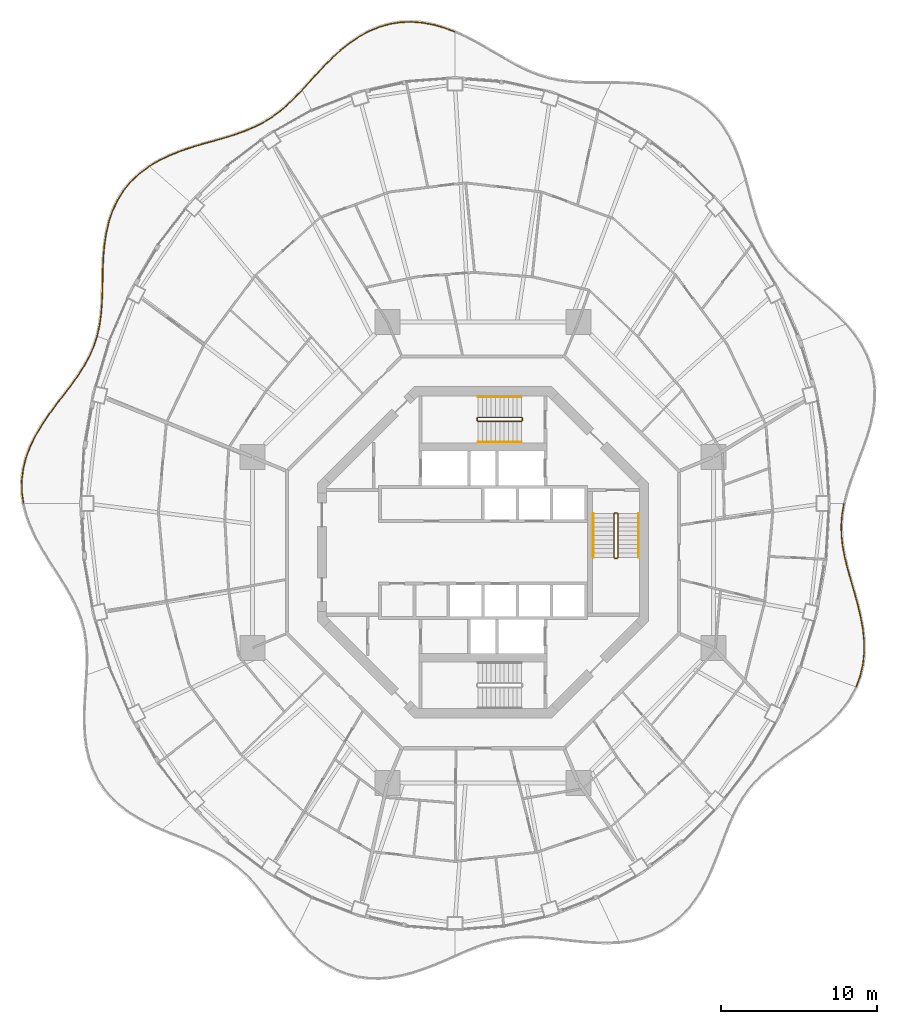
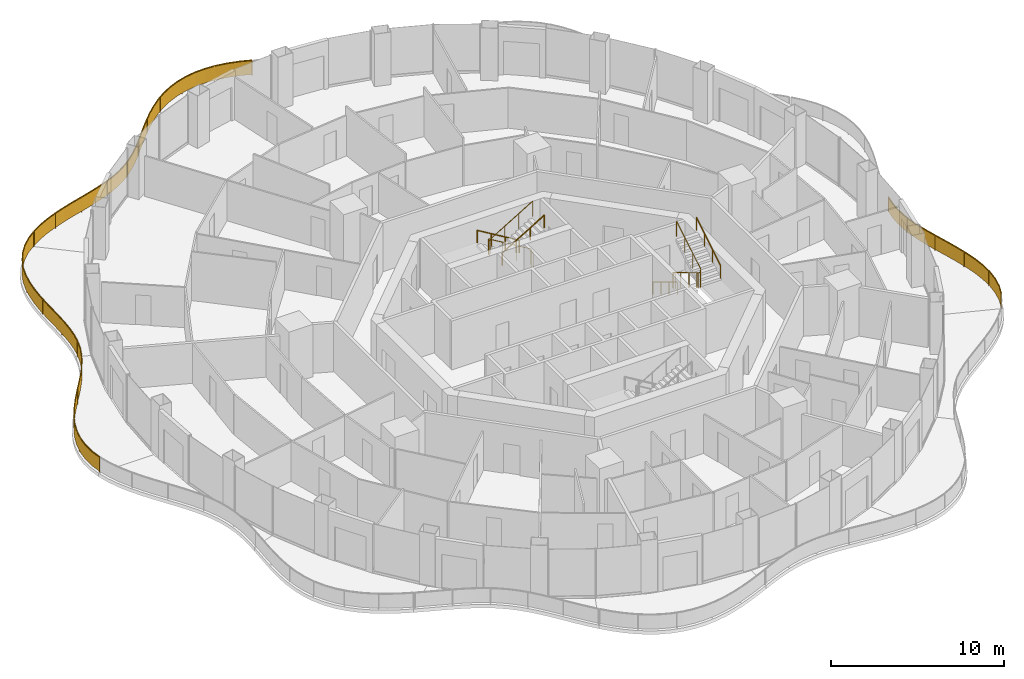
# One storey, part 17 of 18: 11 railings.
"""IFC4 building model written with IfcOpenShell, lengths in metres."""

from ifc_helpers import new_model, si_unit, direction, frame, origin, origin_2d, place, context, subcontext, project, spatial, polyline, rectangle, circle, outline, extrude, material, type_object, element, save


model = new_model("IFC4")

# Units and contexts
model_context = context("Model", 3, precision=1e-05, world=origin(), true_north=direction((0.0, 1.0)))
body_context = subcontext(model_context, "Body", "Model", "MODEL_VIEW")
ifc_project = project(units=[si_unit("LENGTHUNIT", "METRE"), si_unit("AREAUNIT", "SQUARE_METRE"), si_unit("VOLUMEUNIT", "CUBIC_METRE"), si_unit("PLANEANGLEUNIT", "RADIAN"), si_unit("MASSUNIT", "GRAM", prefix="KILO")], contexts=[model_context])

# Site, building, storey
site_placement = place(None, origin())
site = spatial("IfcSite", under=ifc_project, at=site_placement, CompositionType="ELEMENT")
building_placement = place(site_placement, origin())
building = spatial("IfcBuilding", under=site, at=building_placement, Name="Nagisa Residences", CompositionType="ELEMENT")
storey_placement = place(building_placement, frame((0.0, 0.0, 230.699951171875)))
storey = spatial("IfcBuildingStorey", under=building, at=storey_placement, Name="L58", CompositionType="ELEMENT", Elevation=230.699951171875)

# Railings
ifc_material_1 = material(Name="Stainless steel 316", Category="steel")
railing_type_1 = type_object("IfcRailingType", Name="BALCONY GUARD 1100", PredefinedType="BALUSTRADE", material=ifc_material_1)
railing_1_placement = place(storey_placement, frame((-1.8359375, 33.3857421875, 0.0)))
element("IfcRailing", 1, at=railing_1_placement, inside=storey, type_object=railing_type_1, Name="guard:L58:bal04-0", PredefinedType="BALUSTRADE", context=body_context, shape_type="SweptSolid", body=[
    extrude(outline(polyline([(-0.6494140625, 0.219970703125), (-0.0087890625, -0.0234375), (0.0087890625, 0.0234375), (-0.6337890625, 0.267333984375), (-1.334716796875, 0.466796875), (-2.043212890625, 0.59765625), (-2.75390625, 0.651611328125), (-3.45849609375, 0.624267578125), (-4.1396484375, 0.515380859375), (-4.81982421875, 0.32177734375), (-5.47802734375, 0.0498046875), (-6.110595703125, -0.293701171875), (-6.714599609375, -0.69873046875), (-7.272216796875, -1.149169921875), (-7.817626953125, -1.642333984375), (-8.33642578125, -2.15966796875), (-8.83251953125, -2.68701171875), (-9.311767578125, -3.212158203125), (-9.747802734375, -3.69091796875), (-9.710693359375, -3.724609375), (-9.274658203125, -3.245849609375), (-8.7958984375, -2.72119140625), (-8.30029296875, -2.1943359375), (-7.782958984375, -1.678466796875), (-7.239501953125, -1.187255859375), (-6.684814453125, -0.7392578125), (-6.084716796875, -0.336669921875), (-5.45654296875, 0.00439453125), (-4.80322265625, 0.2744140625), (-4.12890625, 0.466552734375), (-3.45361328125, 0.574462890625), (-2.7548828125, 0.601318359375), (-2.049560546875, 0.5478515625), (-1.345947265625, 0.41796875), (-0.6494140625, 0.219970703125)])), frame((0.0, 0.0, 1.050048828125)), (0.0, 0.0, 1.0), 0.050048828125),
    extrude(outline(polyline([(-0.643798828125, 0.237060546875), (-0.00244140625, -0.006591796875), (0.00244140625, 0.006591796875), (-0.639404296875, 0.250244140625), (-1.338623046875, 0.44921875), (-2.04541015625, 0.57958984375), (-2.754150390625, 0.633544921875), (-3.456787109375, 0.6064453125), (-4.1357421875, 0.497802734375), (-4.813720703125, 0.3046875), (-5.47021484375, 0.033447265625), (-6.101318359375, -0.30908203125), (-6.703857421875, -0.71337890625), (-7.260498046875, -1.162841796875), (-7.80517578125, -1.6552734375), (-8.323486328125, -2.172119140625), (-8.8193359375, -2.699462890625), (-9.29833984375, -3.224365234375), (-9.734375, -3.703125), (-9.72412109375, -3.71240234375), (-9.2880859375, -3.233642578125), (-8.80908203125, -2.708740234375), (-8.313232421875, -2.181884765625), (-7.79541015625, -1.66552734375), (-7.251220703125, -1.173583984375), (-6.695556640625, -0.724609375), (-6.093994140625, -0.3212890625), (-5.46435546875, 0.020751953125), (-4.809326171875, 0.29150390625), (-4.1328125, 0.484130859375), (-3.455322265625, 0.59228515625), (-2.754638671875, 0.619384765625), (-2.04736328125, 0.56591796875), (-1.342041015625, 0.435546875), (-0.643798828125, 0.237060546875)])), frame((0.0, 0.0, 0.06005859375)), (0.0, 0.0, 1.0), 0.989990234375),
    extrude(rectangle(XDim=0.0400390625, YDim=0.0400390625, at=origin_2d()), origin(), (0.0, 0.0, 1.0), 1.050048828125),
    extrude(rectangle(XDim=0.0400390625, YDim=0.0400390625, at=origin_2d()), frame((-2.184814453125, 0.583251953125, 0.0)), (0.0, 0.0, 1.0), 1.050048828125),
    extrude(rectangle(XDim=0.0400390625, YDim=0.0400390625, at=origin_2d()), frame((-4.431884765625, 0.40625, 0.0)), (0.0, 0.0, 1.0), 1.050048828125),
    extrude(rectangle(XDim=0.0400390625, YDim=0.0400390625, at=origin_2d()), frame((-6.4697265625, -0.564697265625, 0.0)), (0.0, 0.0, 1.0), 1.050048828125),
    extrude(rectangle(XDim=0.0400390625, YDim=0.0400390625, at=origin_2d()), frame((-8.185302734375, -2.04443359375, 0.0)), (0.0, 0.0, 1.0), 1.050048828125),
    extrude(rectangle(XDim=0.0400390625, YDim=0.0400390625, at=origin_2d()), frame((-9.729248046875, -3.707763671875, 0.0)), (0.0, 0.0, 1.0), 1.050048828125),
])
railing_2_placement = place(storey_placement, frame((-11.614501953125, 29.6220703125, 0.0)))
element("IfcRailing", 2, at=railing_2_placement, inside=storey, type_object=railing_type_1, Name="guard:L58:bal05-0", PredefinedType="BALUSTRADE", context=body_context, shape_type="SweptSolid", body=[
    extrude(outline(polyline([(-0.43212890625, -0.489501953125), (0.01806640625, -0.017333984375), (-0.01806640625, 0.017333984375), (-0.4677734375, -0.454345703125), (-0.953857421875, -0.921142578125), (-1.452392578125, -1.345703125), (-1.970458984375, -1.72509765625), (-2.51416015625, -2.05859375), (-3.073974609375, -2.341064453125), (-3.68017578125, -2.595458984375), (-4.318115234375, -2.8212890625), (-4.985595703125, -3.027587890625), (-5.67724609375, -3.225830078125), (-6.373291015625, -3.4169921875), (-7.08935546875, -3.6337890625), (-7.80224609375, -3.877197265625), (-8.5, -4.156494140625), (-9.171142578125, -4.48046875), (-9.764404296875, -4.828857421875), (-9.739013671875, -4.871826171875), (-9.147705078125, -4.5244140625), (-8.47998046875, -4.202392578125), (-7.78466796875, -3.924072265625), (-7.07421875, -3.681640625), (-6.359619140625, -3.46484375), (-5.66357421875, -3.274169921875), (-4.971435546875, -3.075439453125), (-4.302490234375, -2.86865234375), (-3.662109375, -2.642333984375), (-3.052978515625, -2.386474609375), (-2.48974609375, -2.1025390625), (-1.942626953125, -1.7666015625), (-1.421142578125, -1.384765625), (-0.920166015625, -0.958251953125), (-0.43212890625, -0.489501953125)])), frame((0.0, 0.0, 1.050048828125)), (0.0, 0.0, 1.0), 0.050048828125),
    extrude(outline(polyline([(-0.445068359375, -0.476806640625), (0.005126953125, -0.0048828125), (-0.005126953125, 0.0048828125), (-0.454833984375, -0.467041015625), (-0.941650390625, -0.9345703125), (-1.441162109375, -1.359619140625), (-1.96044921875, -1.739990234375), (-2.50537109375, -2.074462890625), (-3.06640625, -2.357421875), (-3.673583984375, -2.6123046875), (-4.3125, -2.83837890625), (-4.98046875, -3.044921875), (-5.67236328125, -3.2431640625), (-6.368408203125, -3.43408203125), (-7.083984375, -3.651123046875), (-7.7958984375, -3.89404296875), (-8.492919921875, -4.173095703125), (-9.162841796875, -4.496337890625), (-9.75537109375, -4.84423828125), (-9.748046875, -4.8564453125), (-9.156005859375, -4.508544921875), (-8.487060546875, -4.185791015625), (-7.791015625, -3.9072265625), (-7.07958984375, -3.664306640625), (-6.364501953125, -3.44775390625), (-5.66845703125, -3.2568359375), (-4.9765625, -3.05810546875), (-4.30810546875, -2.8515625), (-3.668701171875, -2.62548828125), (-3.060546875, -2.3701171875), (-2.49853515625, -2.086669921875), (-1.95263671875, -1.751708984375), (-1.432373046875, -1.370849609375), (-0.932373046875, -0.94482421875), (-0.445068359375, -0.476806640625)])), frame((0.0, 0.0, 0.06005859375)), (0.0, 0.0, 1.0), 0.989990234375),
    extrude(rectangle(XDim=0.0400390625, YDim=0.0400390625, at=origin_2d()), origin(), (0.0, 0.0, 1.0), 1.050048828125),
    extrude(rectangle(XDim=0.0400390625, YDim=0.0400390625, at=origin_2d()), frame((-1.6201171875, -1.49951171875, 0.0)), (0.0, 0.0, 1.0), 1.050048828125),
    extrude(rectangle(XDim=0.0400390625, YDim=0.0400390625, at=origin_2d()), frame((-3.547607421875, -2.567138671875, 0.0)), (0.0, 0.0, 1.0), 1.050048828125),
    extrude(rectangle(XDim=0.0400390625, YDim=0.0400390625, at=origin_2d()), frame((-5.65087890625, -3.244384765625, 0.0)), (0.0, 0.0, 1.0), 1.050048828125),
    extrude(rectangle(XDim=0.0400390625, YDim=0.0400390625, at=origin_2d()), frame((-7.7646484375, -3.890869140625, 0.0)), (0.0, 0.0, 1.0), 1.050048828125),
    extrude(rectangle(XDim=0.0400390625, YDim=0.0400390625, at=origin_2d()), frame((-9.751708984375, -4.850341796875, 0.0)), (0.0, 0.0, 1.0), 1.050048828125),
])
railing_3_placement = place(storey_placement, frame((-21.430908203125, 24.7294921875, 0.0)))
element("IfcRailing", 3, at=railing_3_placement, inside=storey, type_object=railing_type_1, Name="guard:L58:bal06-0", PredefinedType="BALUSTRADE", context=body_context, shape_type="SweptSolid", body=[
    extrude(outline(polyline([(-0.55712890625, -0.440185546875), (0.014892578125, -0.020263671875), (-0.014892578125, 0.020263671875), (-0.58935546875, -0.401611328125), (-1.13671875, -0.914794921875), (-1.6123046875, -1.487548828125), (-2.01123046875, -2.116455078125), (-2.331787109375, -2.793701171875), (-2.570556640625, -3.501220703125), (-2.74755859375, -4.251220703125), (-2.86474609375, -5.02197265625), (-2.934326171875, -5.80224609375), (-2.970458984375, -6.5830078125), (-2.982177734375, -7.341552734375), (-2.998779296875, -8.096923828125), (-3.029296875, -8.830322265625), (-3.08837890625, -9.537841796875), (-3.18798828125, -10.218994140625), (-3.328125, -10.83447265625), (-3.279296875, -10.845703125), (-3.138671875, -10.228271484375), (-3.03857421875, -9.543701171875), (-2.9794921875, -8.833251953125), (-2.948974609375, -8.098388671875), (-2.932373046875, -7.342529296875), (-2.920654296875, -6.58447265625), (-2.884521484375, -5.8056640625), (-2.81494140625, -5.02783203125), (-2.6982421875, -4.260986328125), (-2.522216796875, -3.514892578125), (-2.285400390625, -2.812255859375), (-1.96728515625, -2.140869140625), (-1.57177734375, -1.516845703125), (-1.10009765625, -0.948974609375), (-0.55712890625, -0.440185546875)])), frame((0.0, 0.0, 1.050048828125)), (0.0, 0.0, 1.0), 0.050048828125),
    extrude(outline(polyline([(-0.56884765625, -0.42626953125), (0.004150390625, -0.005615234375), (-0.004150390625, 0.005615234375), (-0.57763671875, -0.41552734375), (-1.12353515625, -0.927001953125), (-1.59765625, -1.498046875), (-1.995361328125, -2.125244140625), (-2.315185546875, -2.80029296875), (-2.55322265625, -3.506103515625), (-2.729736328125, -4.2548828125), (-2.8466796875, -5.024169921875), (-2.91650390625, -5.803466796875), (-2.95263671875, -6.58349609375), (-2.96435546875, -7.341796875), (-2.98095703125, -8.097412109375), (-3.011474609375, -8.831298828125), (-3.0703125, -9.5400390625), (-3.170166015625, -10.222412109375), (-3.310546875, -10.838623046875), (-3.296875, -10.841552734375), (-3.156494140625, -10.224853515625), (-3.056640625, -9.54150390625), (-2.997314453125, -8.832275390625), (-2.966796875, -8.097900390625), (-2.9501953125, -7.34228515625), (-2.9384765625, -6.583984375), (-2.90234375, -5.804443359375), (-2.8330078125, -5.025634765625), (-2.716064453125, -4.25732421875), (-2.53955078125, -3.510009765625), (-2.302001953125, -2.8056640625), (-1.983154296875, -2.132080078125), (-1.58642578125, -1.50634765625), (-1.11328125, -0.936767578125), (-0.56884765625, -0.42626953125)])), frame((0.0, 0.0, 0.06005859375)), (0.0, 0.0, 1.0), 0.989990234375),
    extrude(rectangle(XDim=0.0400390625, YDim=0.0400390625, at=origin_2d()), origin(), (0.0, 0.0, 1.0), 1.050048828125),
    extrude(rectangle(XDim=0.0400390625, YDim=0.0400390625, at=origin_2d()), frame((-1.680419921875, -1.6416015625, 0.0)), (0.0, 0.0, 1.0), 1.050048828125),
    extrude(rectangle(XDim=0.0400390625, YDim=0.0400390625, at=origin_2d()), frame((-2.61474609375, -3.7978515625, 0.0)), (0.0, 0.0, 1.0), 1.050048828125),
    extrude(rectangle(XDim=0.0400390625, YDim=0.0400390625, at=origin_2d()), frame((-2.9248046875, -6.1376953125, 0.0)), (0.0, 0.0, 1.0), 1.050048828125),
    extrude(rectangle(XDim=0.0400390625, YDim=0.0400390625, at=origin_2d()), frame((-2.99072265625, -8.501220703125, 0.0)), (0.0, 0.0, 1.0), 1.050048828125),
    extrude(rectangle(XDim=0.0400390625, YDim=0.0400390625, at=origin_2d()), frame((-3.3037109375, -10.840087890625, 0.0)), (0.0, 0.0, 1.0), 1.050048828125),
])
railing_4_placement = place(storey_placement, frame((-24.752197265625, 13.82275390625, 0.0)))
element("IfcRailing", 4, at=railing_4_placement, inside=storey, type_object=railing_type_1, Name="guard:L58:bal07-0", PredefinedType="BALUSTRADE", context=body_context, shape_type="SweptSolid", body=[
    extrude(outline(polyline([(-0.177734375, -0.623291015625), (0.023681640625, -0.0078125), (-0.023681640625, 0.0078125), (-0.224609375, -0.605224609375), (-0.500244140625, -1.237060546875), (-0.836669921875, -1.854736328125), (-1.227783203125, -2.465087890625), (-1.6630859375, -3.0751953125), (-2.125732421875, -3.67822265625), (-2.605712890625, -4.306640625), (-3.0810546875, -4.951904296875), (-3.5322265625, -5.616455078125), (-3.941162109375, -6.30224609375), (-4.2880859375, -6.99462890625), (-4.5615234375, -7.719482421875), (-4.748291015625, -8.459228515625), (-4.84033203125, -9.208984375), (-4.834228515625, -9.96337890625), (-4.737548828125, -10.670166015625), (-4.687744140625, -10.663330078125), (-4.784423828125, -9.9599609375), (-4.7900390625, -9.2119140625), (-4.698974609375, -8.468505859375), (-4.513671875, -7.734619140625), (-4.2421875, -7.0146484375), (-3.897216796875, -6.326171875), (-3.490234375, -5.643310546875), (-3.0400390625, -4.980712890625), (-2.565673828125, -4.3369140625), (-2.086181640625, -3.70849609375), (-1.623046875, -3.10498046875), (-1.186279296875, -2.492919921875), (-0.793701171875, -1.880126953125), (-0.455322265625, -1.259033203125), (-0.177734375, -0.623291015625)])), frame((0.0, 0.0, 1.050048828125)), (0.0, 0.0, 1.0), 0.050048828125),
    extrude(outline(polyline([(-0.194580078125, -0.61669921875), (0.006591796875, -0.002197265625), (-0.006591796875, 0.002197265625), (-0.207763671875, -0.61181640625), (-0.484130859375, -1.244873046875), (-0.8212890625, -1.86376953125), (-1.212890625, -2.47509765625), (-1.648681640625, -3.0859375), (-2.111572265625, -3.689208984375), (-2.59130859375, -4.317626953125), (-3.066162109375, -4.962158203125), (-3.51708984375, -5.626220703125), (-3.92529296875, -6.310791015625), (-4.271484375, -7.001708984375), (-4.544189453125, -7.724853515625), (-4.73046875, -8.462646484375), (-4.822265625, -9.2099609375), (-4.81640625, -9.962158203125), (-4.719482421875, -10.667724609375), (-4.705810546875, -10.665771484375), (-4.80224609375, -9.961181640625), (-4.80810546875, -9.2109375), (-4.716796875, -8.465087890625), (-4.531005859375, -7.729248046875), (-4.2587890625, -7.007568359375), (-3.9130859375, -6.317626953125), (-3.50537109375, -5.633544921875), (-3.054931640625, -4.970458984375), (-2.580078125, -4.325927734375), (-2.100341796875, -3.697509765625), (-1.637451171875, -3.09423828125), (-1.201171875, -2.48291015625), (-0.80908203125, -1.87109375), (-0.471435546875, -1.251220703125), (-0.194580078125, -0.61669921875)])), frame((0.0, 0.0, 0.06005859375)), (0.0, 0.0, 1.0), 0.989990234375),
    extrude(rectangle(XDim=0.0400390625, YDim=0.0400390625, at=origin_2d()), origin(), (0.0, 0.0, 1.0), 1.050048828125),
    extrude(rectangle(XDim=0.0400390625, YDim=0.0400390625, at=origin_2d()), frame((-1.006591796875, -2.166259765625, 0.0)), (0.0, 0.0, 1.0), 1.050048828125),
    extrude(rectangle(XDim=0.0400390625, YDim=0.0400390625, at=origin_2d()), frame((-2.418701171875, -4.10302734375, 0.0)), (0.0, 0.0, 1.0), 1.050048828125),
    extrude(rectangle(XDim=0.0400390625, YDim=0.0400390625, at=origin_2d()), frame((-3.777587890625, -6.07666015625, 0.0)), (0.0, 0.0, 1.0), 1.050048828125),
    extrude(rectangle(XDim=0.0400390625, YDim=0.0400390625, at=origin_2d()), frame((-4.678955078125, -8.28662109375, 0.0)), (0.0, 0.0, 1.0), 1.050048828125),
    extrude(rectangle(XDim=0.0400390625, YDim=0.0400390625, at=origin_2d()), frame((-4.712646484375, -10.666748046875, 0.0)), (0.0, 0.0, 1.0), 1.050048828125),
])
railing_5_placement = place(storey_placement, frame((23.9384765625, -8.59716796875, 0.0)))
element("IfcRailing", 5, at=railing_5_placement, inside=storey, type_object=railing_type_1, Name="guard:L58:bal15-0", PredefinedType="BALUSTRADE", context=body_context, shape_type="SweptSolid", body=[
    extrude(outline(polyline([(0.224365234375, 0.671630859375), (-0.0234375, 0.0087890625), (0.0234375, -0.0087890625), (0.272216796875, 0.656982421875), (0.443603515625, 1.397216796875), (0.523193359375, 2.16064453125), (0.5166015625, 2.939697265625), (0.435302734375, 3.726806640625), (0.28955078125, 4.5009765625), (0.1025390625, 5.282958984375), (-0.110107421875, 6.053955078125), (-0.32958984375, 6.810302734375), (-0.537109375, 7.550048828125), (-0.71630859375, 8.25927734375), (-0.849853515625, 8.966552734375), (-0.927734375, 9.66162109375), (-0.94189453125, 10.34814453125), (-0.889892578125, 11.03125), (-0.77978515625, 11.676025390625), (-0.8291015625, 11.684326171875), (-0.939697265625, 11.03759765625), (-0.9921875, 10.349609375), (-0.9775390625, 9.658203125), (-0.899169921875, 8.959228515625), (-0.76513671875, 8.24853515625), (-0.58544921875, 7.537353515625), (-0.3779296875, 6.796630859375), (-0.158447265625, 6.040283203125), (0.05419921875, 5.270263671875), (0.24072265625, 4.49072265625), (0.385498046875, 3.719482421875), (0.466796875, 2.936767578125), (0.472900390625, 2.1630859375), (0.394287109375, 1.405517578125), (0.224365234375, 0.671630859375)])), frame((0.0, 0.0, 1.050048828125)), (0.0, 0.0, 1.0), 0.050048828125),
    extrude(outline(polyline([(0.241455078125, 0.666259765625), (-0.006591796875, 0.00244140625), (0.006591796875, -0.00244140625), (0.255126953125, 0.662353515625), (0.42578125, 1.400146484375), (0.505126953125, 2.16162109375), (0.498779296875, 2.938720703125), (0.417236328125, 3.72412109375), (0.27197265625, 4.497314453125), (0.085205078125, 5.2783203125), (-0.12744140625, 6.049072265625), (-0.346923828125, 6.805419921875), (-0.554443359375, 7.54541015625), (-0.73388671875, 8.25537109375), (-0.86767578125, 8.9638671875), (-0.945556640625, 9.660400390625), (-0.9599609375, 10.3486328125), (-0.907958984375, 11.033447265625), (-0.797607421875, 11.678955078125), (-0.811279296875, 11.681396484375), (-0.921630859375, 11.035400390625), (-0.97412109375, 10.34912109375), (-0.959716796875, 9.659423828125), (-0.88134765625, 8.9619140625), (-0.74755859375, 8.25244140625), (-0.568115234375, 7.5419921875), (-0.360595703125, 6.801513671875), (-0.14111328125, 6.045166015625), (0.071533203125, 5.27490234375), (0.25830078125, 4.494384765625), (0.403564453125, 3.72216796875), (0.484619140625, 2.937744140625), (0.490966796875, 2.162109375), (0.412109375, 1.402587890625), (0.241455078125, 0.666259765625)])), frame((0.0, 0.0, 0.06005859375)), (0.0, 0.0, 1.0), 0.989990234375),
    extrude(rectangle(XDim=0.0400390625, YDim=0.0400390625, at=origin_2d()), origin(), (0.0, 0.0, 1.0), 1.050048828125),
    extrude(rectangle(XDim=0.0400390625, YDim=0.0400390625, at=origin_2d()), frame((0.496826171875, 2.317138671875, 0.0)), (0.0, 0.0, 1.0), 1.050048828125),
    extrude(rectangle(XDim=0.0400390625, YDim=0.0400390625, at=origin_2d()), frame((0.22119140625, 4.6796875, 0.0)), (0.0, 0.0, 1.0), 1.050048828125),
    extrude(rectangle(XDim=0.0400390625, YDim=0.0400390625, at=origin_2d()), frame((-0.403564453125, 6.9814453125, 0.0)), (0.0, 0.0, 1.0), 1.050048828125),
    extrude(rectangle(XDim=0.0400390625, YDim=0.0400390625, at=origin_2d()), frame((-0.913330078125, 9.308349609375, 0.0)), (0.0, 0.0, 1.0), 1.050048828125),
    extrude(rectangle(XDim=0.0400390625, YDim=0.0400390625, at=origin_2d()), frame((-0.804443359375, 11.68017578125, 0.0)), (0.0, 0.0, 1.0), 1.050048828125),
])
ifc_material_2 = material(Name="Stainless steel", Category="steel")
railing_type_2 = type_object("IfcRailingType", Name="Stair guard 1100", PredefinedType="GUARDRAIL", material=ifc_material_2)
railing_6_placement = place(storey_placement, frame((8.599609375, 2.52490234375, 0.0)))
element("IfcRailing", 6, at=railing_6_placement, inside=storey, type_object=railing_type_2, Name="L58 ST-E stair guard 1", PredefinedType="GUARDRAIL", context=body_context, shape_type="SweptSolid", body=[
    extrude(circle(Radius=0.02392578125, at=origin_2d()), frame((0.0, 0.0, 1.076171875), z_axis=(-1.0, 0.0, 0.0), x_axis=(0.0, -1.0, 0.0)), (0.0, 0.0, 1.0), 0.14990234375),
    extrude(circle(Radius=0.02392578125, at=origin_2d()), frame((-0.14990234375, 0.0, 1.076171875), z_axis=(-0.27434429532, -0.273006030465, 0.922064485248), x_axis=(0.705375805398, -0.708833529934, 0.0)), (0.0, 0.0, 1.0), 0.182373046875),
    extrude(circle(Radius=0.02392578125, at=origin_2d()), frame((-0.199951171875, -0.0498046875, 1.244140625), z_axis=(0.0, -0.857242210791, 0.514913383045), x_axis=(1.0, 0.0, 0.0)), (0.0, 0.0, 1.0), 3.266357421875),
    extrude(circle(Radius=0.02392578125, at=origin_2d()), frame((-0.199951171875, -2.849853515625, 2.92626953125), z_axis=(0.707106781187, -0.707106781187, 0.0), x_axis=(0.707106781187, 0.707106781187, 0.0)), (0.0, 0.0, 1.0), 0.07080078125),
    extrude(circle(Radius=0.02392578125, at=origin_2d()), frame((-0.14990234375, -2.89990234375, 2.92626953125), z_axis=(1.0, 0.0, 0.0), x_axis=(0.0, 1.0, 0.0)), (0.0, 0.0, 1.0), 0.14990234375),
    extrude(circle(Radius=0.02392578125, at=origin_2d()), frame((0.0, -2.89990234375, 2.92626953125), z_axis=(0.274243871929, 0.274243871929, 0.92172696468), x_axis=(-0.707106781187, 0.707106781187, 0.0)), (0.0, 0.0, 1.0), 0.1826171875),
    extrude(circle(Radius=0.02392578125, at=origin_2d()), frame((0.050048828125, -2.849853515625, 3.09423828125), z_axis=(0.0, 0.857275202839, 0.514858452973), x_axis=(-1.0, 0.0, 0.0)), (0.0, 0.0, 1.0), 3.26611328125),
    extrude(circle(Radius=0.02099609375, at=origin_2d()), origin(), (0.0, 0.0, 1.0), 1.052001953125),
    extrude(circle(Radius=0.02099609375, at=origin_2d()), frame((-0.14990234375, 0.0, 0.0)), (0.0, 0.0, 1.0), 1.052001953125),
    extrude(circle(Radius=0.02099609375, at=origin_2d()), frame((-0.199951171875, -0.0498046875, 0.168212890625)), (0.0, 0.0, 1.0), 1.052001953125),
    extrude(circle(Radius=0.02099609375, at=origin_2d()), frame((-0.199951171875, -0.983154296875, 0.728759765625)), (0.0, 0.0, 1.0), 1.052001953125),
    extrude(circle(Radius=0.02099609375, at=origin_2d()), frame((-0.199951171875, -1.91650390625, 1.28955078125)), (0.0, 0.0, 1.0), 1.052001953125),
    extrude(circle(Radius=0.02099609375, at=origin_2d()), frame((-0.199951171875, -2.849853515625, 1.85009765625)), (0.0, 0.0, 1.0), 1.052001953125),
    extrude(circle(Radius=0.02099609375, at=origin_2d()), frame((-0.14990234375, -2.89990234375, 1.85009765625)), (0.0, 0.0, 1.0), 1.052001953125),
    extrude(circle(Radius=0.02099609375, at=origin_2d()), frame((0.0, -2.89990234375, 1.85009765625)), (0.0, 0.0, 1.0), 1.052001953125),
    extrude(circle(Radius=0.02099609375, at=origin_2d()), frame((0.050048828125, -2.849853515625, 2.018310546875)), (0.0, 0.0, 1.0), 1.052001953125),
    extrude(circle(Radius=0.02099609375, at=origin_2d()), frame((0.050048828125, -1.91650390625, 2.578857421875)), (0.0, 0.0, 1.0), 1.052001953125),
    extrude(circle(Radius=0.02099609375, at=origin_2d()), frame((0.050048828125, -0.983154296875, 3.139404296875)), (0.0, 0.0, 1.0), 1.052001953125),
    extrude(circle(Radius=0.02099609375, at=origin_2d()), frame((0.050048828125, -0.0498046875, 3.699951171875)), (0.0, 0.0, 1.0), 1.052001953125),
])
railing_7_placement = place(storey_placement, frame((2.52490234375, 8.44970703125, 0.0)))
element("IfcRailing", 7, at=railing_7_placement, inside=storey, type_object=railing_type_2, Name="L58 ST-N stair guard 1", PredefinedType="GUARDRAIL", context=body_context, shape_type="SweptSolid", body=[
    extrude(circle(Radius=0.02392578125, at=origin_2d()), frame((0.0, 0.0, 1.076171875), z_axis=(0.0, 1.0, 0.0), x_axis=(-1.0, 0.0, 0.0)), (0.0, 0.0, 1.0), 0.14990234375),
    extrude(circle(Radius=0.02392578125, at=origin_2d()), frame((0.0, 0.14990234375, 1.076171875), z_axis=(-0.273006030465, 0.27434429532, 0.922064485248), x_axis=(-0.708833529934, -0.705375805398, 0.0)), (0.0, 0.0, 1.0), 0.182373046875),
    extrude(circle(Radius=0.02392578125, at=origin_2d()), frame((-0.0498046875, 0.199951171875, 1.244140625), z_axis=(-0.857242210791, 0.0, 0.514913383045), x_axis=(0.0, -1.0, 0.0)), (0.0, 0.0, 1.0), 3.266357421875),
    extrude(circle(Radius=0.02392578125, at=origin_2d()), frame((-2.849853515625, 0.199951171875, 2.92626953125), z_axis=(-0.707106781187, -0.707106781187, 0.0), x_axis=(0.707106781187, -0.707106781187, 0.0)), (0.0, 0.0, 1.0), 0.07080078125),
    extrude(circle(Radius=0.02392578125, at=origin_2d()), frame((-2.89990234375, 0.14990234375, 2.92626953125), z_axis=(0.0, -1.0, 0.0), x_axis=(1.0, 0.0, 0.0)), (0.0, 0.0, 1.0), 0.14990234375),
    extrude(circle(Radius=0.02392578125, at=origin_2d()), frame((-2.89990234375, 0.0, 2.92626953125), z_axis=(0.274243871929, -0.274243871929, 0.92172696468), x_axis=(0.707106781187, 0.707106781187, 0.0)), (0.0, 0.0, 1.0), 0.1826171875),
    extrude(circle(Radius=0.02392578125, at=origin_2d()), frame((-2.849853515625, -0.050048828125, 3.09423828125), z_axis=(0.857275202839, 0.0, 0.514858452973), x_axis=(0.0, 1.0, 0.0)), (0.0, 0.0, 1.0), 3.26611328125),
    extrude(circle(Radius=0.02099609375, at=origin_2d()), origin(), (0.0, 0.0, 1.0), 1.052001953125),
    extrude(circle(Radius=0.02099609375, at=origin_2d()), frame((0.0, 0.14990234375, 0.0)), (0.0, 0.0, 1.0), 1.052001953125),
    extrude(circle(Radius=0.02099609375, at=origin_2d()), frame((-0.0498046875, 0.199951171875, 0.168212890625)), (0.0, 0.0, 1.0), 1.052001953125),
    extrude(circle(Radius=0.02099609375, at=origin_2d()), frame((-0.983154296875, 0.199951171875, 0.728759765625)), (0.0, 0.0, 1.0), 1.052001953125),
    extrude(circle(Radius=0.02099609375, at=origin_2d()), frame((-1.91650390625, 0.199951171875, 1.28955078125)), (0.0, 0.0, 1.0), 1.052001953125),
    extrude(circle(Radius=0.02099609375, at=origin_2d()), frame((-2.849853515625, 0.199951171875, 1.85009765625)), (0.0, 0.0, 1.0), 1.052001953125),
    extrude(circle(Radius=0.02099609375, at=origin_2d()), frame((-2.89990234375, 0.14990234375, 1.85009765625)), (0.0, 0.0, 1.0), 1.052001953125),
    extrude(circle(Radius=0.02099609375, at=origin_2d()), frame((-2.89990234375, 0.0, 1.85009765625)), (0.0, 0.0, 1.0), 1.052001953125),
    extrude(circle(Radius=0.02099609375, at=origin_2d()), frame((-2.849853515625, -0.050048828125, 2.018310546875)), (0.0, 0.0, 1.0), 1.052001953125),
    extrude(circle(Radius=0.02099609375, at=origin_2d()), frame((-1.91650390625, -0.050048828125, 2.578857421875)), (0.0, 0.0, 1.0), 1.052001953125),
    extrude(circle(Radius=0.02099609375, at=origin_2d()), frame((-0.983154296875, -0.050048828125, 3.139404296875)), (0.0, 0.0, 1.0), 1.052001953125),
    extrude(circle(Radius=0.02099609375, at=origin_2d()), frame((-0.0498046875, -0.050048828125, 3.699951171875)), (0.0, 0.0, 1.0), 1.052001953125),
])
ifc_material_3 = material(Name="Stainless steel", Category="steel")
railing_type_3 = type_object("IfcRailingType", Name="Stair handrail 900", PredefinedType="HANDRAIL", material=ifc_material_3)
railing_8_placement = place(storey_placement, frame((7.07470703125, 2.47509765625, 0.168212890625)))
element("IfcRailing", 8, at=railing_8_placement, inside=storey, type_object=railing_type_3, Name="L58 ST-E stair handrail 1", PredefinedType="HANDRAIL", context=body_context, shape_type="SweptSolid", body=[
    extrude(circle(Radius=0.02392578125, at=origin_2d()), frame((0.0, 0.0, 0.8759765625), z_axis=(0.0, -0.857242210791, 0.514913383045), x_axis=(1.0, 0.0, 0.0)), (0.0, 0.0, 1.0), 3.266357421875),
    extrude(circle(Radius=0.02099609375, at=origin_2d()), origin(), (0.0, 0.0, 1.0), 0.851806640625),
    extrude(circle(Radius=0.02099609375, at=origin_2d()), frame((0.0, -0.933349609375, 0.560546875)), (0.0, 0.0, 1.0), 0.851806640625),
    extrude(circle(Radius=0.02099609375, at=origin_2d()), frame((0.0, -1.86669921875, 1.121337890625)), (0.0, 0.0, 1.0), 0.851806640625),
    extrude(circle(Radius=0.02099609375, at=origin_2d()), frame((0.0, -2.800048828125, 1.681884765625)), (0.0, 0.0, 1.0), 0.851806640625),
])
railing_9_placement = place(storey_placement, frame((9.974609375, -0.324951171875, 2.018310546875)))
element("IfcRailing", 9, at=railing_9_placement, inside=storey, type_object=railing_type_3, Name="L58 ST-E stair handrail 2", PredefinedType="HANDRAIL", context=body_context, shape_type="SweptSolid", body=[
    extrude(circle(Radius=0.02392578125, at=origin_2d()), frame((0.0, 0.0, 0.8759765625), z_axis=(0.0, 0.857275202839, 0.514858452973), x_axis=(-1.0, 0.0, 0.0)), (0.0, 0.0, 1.0), 3.26611328125),
    extrude(circle(Radius=0.02099609375, at=origin_2d()), origin(), (0.0, 0.0, 1.0), 0.851806640625),
    extrude(circle(Radius=0.02099609375, at=origin_2d()), frame((0.0, 0.933349609375, 0.560546875)), (0.0, 0.0, 1.0), 0.851806640625),
    extrude(circle(Radius=0.02099609375, at=origin_2d()), frame((0.0, 1.86669921875, 1.12109375)), (0.0, 0.0, 1.0), 0.851806640625),
    extrude(circle(Radius=0.02099609375, at=origin_2d()), frame((0.0, 2.800048828125, 1.681640625)), (0.0, 0.0, 1.0), 0.851806640625),
])
railing_10_placement = place(storey_placement, frame((2.47509765625, 9.974609375, 0.168212890625)))
element("IfcRailing", 10, at=railing_10_placement, inside=storey, type_object=railing_type_3, Name="L58 ST-N stair handrail 1", PredefinedType="HANDRAIL", context=body_context, shape_type="SweptSolid", body=[
    extrude(circle(Radius=0.02392578125, at=origin_2d()), frame((0.0, 0.0, 0.8759765625), z_axis=(-0.857242210791, 0.0, 0.514913383045), x_axis=(0.0, -1.0, 0.0)), (0.0, 0.0, 1.0), 3.266357421875),
    extrude(circle(Radius=0.02099609375, at=origin_2d()), origin(), (0.0, 0.0, 1.0), 0.851806640625),
    extrude(circle(Radius=0.02099609375, at=origin_2d()), frame((-0.933349609375, 0.0, 0.560546875)), (0.0, 0.0, 1.0), 0.851806640625),
    extrude(circle(Radius=0.02099609375, at=origin_2d()), frame((-1.86669921875, 0.0, 1.121337890625)), (0.0, 0.0, 1.0), 0.851806640625),
    extrude(circle(Radius=0.02099609375, at=origin_2d()), frame((-2.800048828125, 0.0, 1.681884765625)), (0.0, 0.0, 1.0), 0.851806640625),
])
railing_11_placement = place(storey_placement, frame((-0.324951171875, 7.07470703125, 2.018310546875)))
element("IfcRailing", 11, at=railing_11_placement, inside=storey, type_object=railing_type_3, Name="L58 ST-N stair handrail 2", PredefinedType="HANDRAIL", context=body_context, shape_type="SweptSolid", body=[
    extrude(circle(Radius=0.02392578125, at=origin_2d()), frame((0.0, 0.0, 0.8759765625), z_axis=(0.857275202839, 0.0, 0.514858452973), x_axis=(0.0, 1.0, 0.0)), (0.0, 0.0, 1.0), 3.26611328125),
    extrude(circle(Radius=0.02099609375, at=origin_2d()), origin(), (0.0, 0.0, 1.0), 0.851806640625),
    extrude(circle(Radius=0.02099609375, at=origin_2d()), frame((0.933349609375, 0.0, 0.560546875)), (0.0, 0.0, 1.0), 0.851806640625),
    extrude(circle(Radius=0.02099609375, at=origin_2d()), frame((1.86669921875, 0.0, 1.12109375)), (0.0, 0.0, 1.0), 0.851806640625),
    extrude(circle(Radius=0.02099609375, at=origin_2d()), frame((2.800048828125, 0.0, 1.681640625)), (0.0, 0.0, 1.0), 0.851806640625),
])

save(model, "model.ifc")
